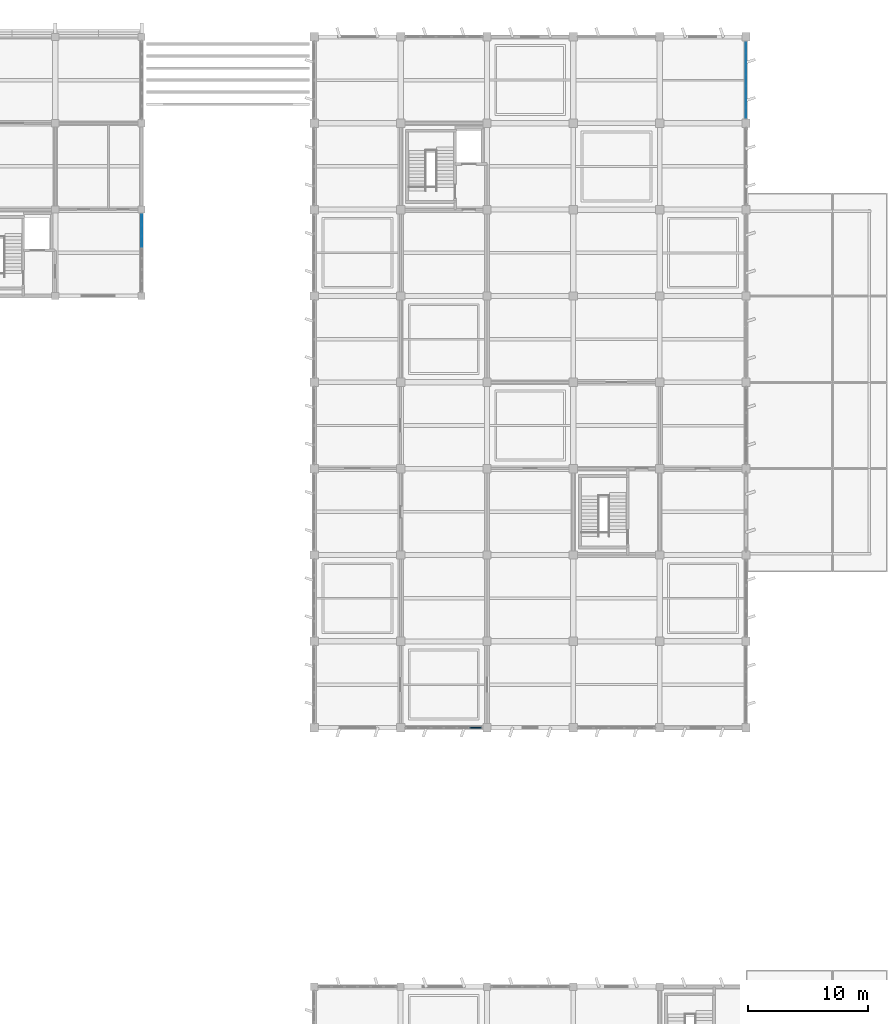
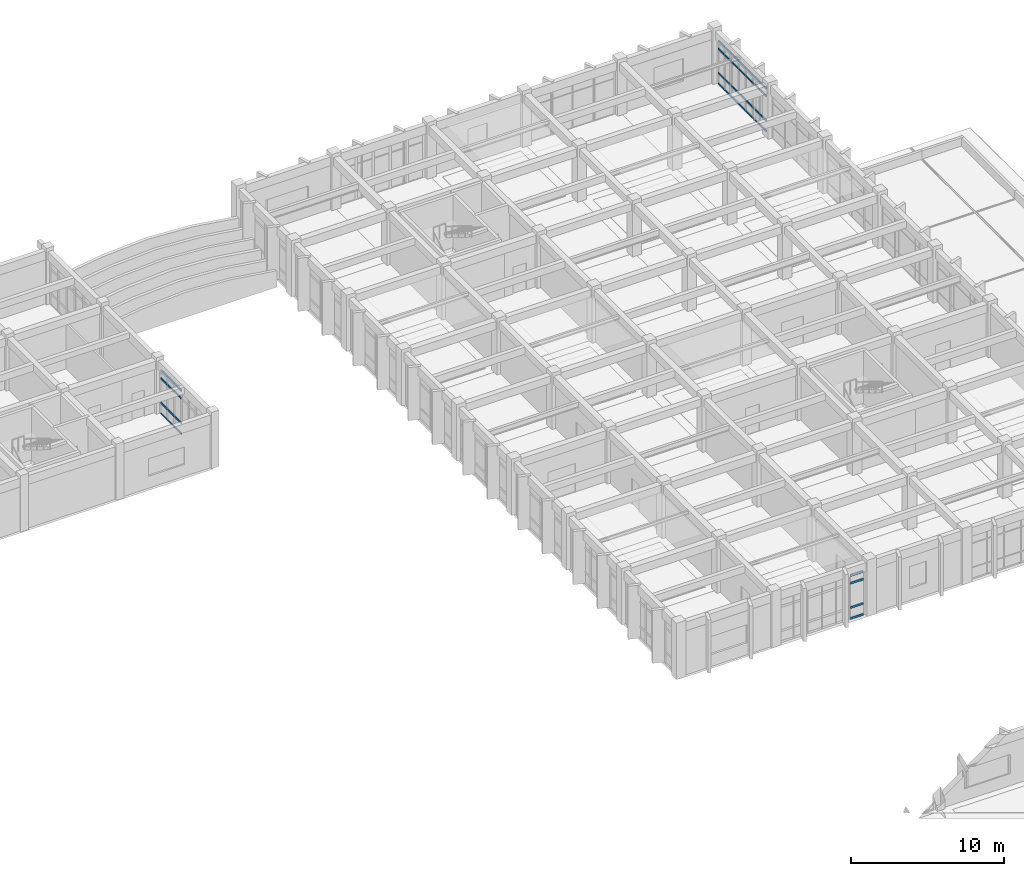
# One storey, part 37 of 81: 44 members, 3 elements without a shape of their own.
"""IFC4 building model written with IfcOpenShell, lengths in metres."""

from ifc_helpers import new_model, si_unit, direction, frame, origin, origin_2d, place, context, subcontext, project, spatial, rectangle, extrude, material, layer, layer_set, material_profile, profile_set, type_object, element, aggregate, save


model = new_model("IFC4")

# Units and contexts
model_context = context("Model", 3, precision=1e-05, world=origin(), true_north=direction((0.0, 1.0)))
body_context = subcontext(model_context, "Body", "Model", "MODEL_VIEW")
ifc_project = project(units=[si_unit("LENGTHUNIT", "METRE"), si_unit("AREAUNIT", "SQUARE_METRE"), si_unit("VOLUMEUNIT", "CUBIC_METRE"), si_unit("PLANEANGLEUNIT", "RADIAN"), si_unit("MASSUNIT", "GRAM", prefix="KILO")], contexts=[model_context])

# Site, building, storey
site_placement = place(None, origin())
site = spatial("IfcSite", under=ifc_project, at=site_placement, CompositionType="ELEMENT")
building_placement = place(site_placement, origin())
building = spatial("IfcBuilding", under=site, at=building_placement, Name="Kavelor Marine Aquarium", CompositionType="ELEMENT")
storey_placement = place(building_placement, frame((0.0, 0.0, 4.679931640625)))
storey = spatial("IfcBuildingStorey", under=building, at=storey_placement, Name="L01", CompositionType="ELEMENT", Elevation=4.679931640625)

# Curtain wall, members
ifc_material_1 = material(Name="Thermally Broken Aluminium and Low-E Glass", Category="aluminium")
ifc_layer_1 = layer(ifc_material_1, 0.14794921875)
ifc_layer_set_1 = layer_set([ifc_layer_1], Name="CW-SYS1")
curtain_wall_type_1 = type_object("IfcCurtainWallType", Name="CW-SYS1", PredefinedType="USERDEFINED", material=ifc_layer_set_1)
curtain_wall_1_placement = place(storey_placement, origin())
curtain_wall_1 = element("IfcCurtainWall", 1, at=curtain_wall_1_placement, inside=storey, type_object=curtain_wall_type_1, Name="cw:y:L01:21_14", ObjectType="Curtain Wall", PredefinedType="USERDEFINED")
ifc_material_2 = material(Name="Anodised Aluminium Alloy 6063-T6", Category="aluminium")
ifc_material_profile_1 = material_profile(ifc_material_2, rectangle(XDim=0.074951171875, YDim=0.14990234375, at=origin_2d()), Name="CW-TRN 75x150")
ifc_profile_set_1 = profile_set([ifc_material_profile_1], Name="Anodised Aluminium Alloy 6063-T6")
member_type_1 = type_object("IfcMemberType", Name="CWT-1", PredefinedType="USERDEFINED", material=ifc_profile_set_1)
member_1_placement = place(storey_placement, frame((154.39990234375, 104.070068359375, 0.03759765625), z_axis=(0.0, 1.0, 0.0), x_axis=(-1.0, 0.0, 0.0)))
member_1 = element("IfcMember", 2, at=member_1_placement, type_object=member_type_1, Name="CW01 transom 1.1", ObjectType="TRANSOM", PredefinedType="USERDEFINED", context=body_context, shape_type="SweptSolid", body=[
    extrude(rectangle(XDim=0.074951171875, YDim=0.14990234375, at=origin_2d()), origin(), (0.0, 0.0, 1.0), 0.80322265625),
])
member_2_placement = place(storey_placement, frame((154.39990234375, 104.070068359375, 0.900146484375), z_axis=(0.0, 1.0, 0.0), x_axis=(-1.0, 0.0, 0.0)))
member_2 = element("IfcMember", 3, at=member_2_placement, type_object=member_type_1, Name="CW01 transom 1.2", ObjectType="TRANSOM", PredefinedType="USERDEFINED", context=body_context, shape_type="SweptSolid", body=[
    extrude(rectangle(XDim=0.074951171875, YDim=0.14990234375, at=origin_2d()), origin(), (0.0, 0.0, 1.0), 0.80322265625),
])
member_3_placement = place(storey_placement, frame((154.39990234375, 104.070068359375, 2.840087890625), z_axis=(0.0, 1.0, 0.0), x_axis=(-1.0, 0.0, 0.0)))
member_3 = element("IfcMember", 4, at=member_3_placement, type_object=member_type_1, Name="CW01 transom 1.3", ObjectType="TRANSOM", PredefinedType="USERDEFINED", context=body_context, shape_type="SweptSolid", body=[
    extrude(rectangle(XDim=0.074951171875, YDim=0.14990234375, at=origin_2d()), origin(), (0.0, 0.0, 1.0), 0.80322265625),
])
member_4_placement = place(storey_placement, frame((154.39990234375, 104.070068359375, 3.45263671875), z_axis=(0.0, 1.0, 0.0), x_axis=(-1.0, 0.0, 0.0)))
member_4 = element("IfcMember", 5, at=member_4_placement, type_object=member_type_1, Name="CW01 transom 1.4", ObjectType="TRANSOM", PredefinedType="USERDEFINED", context=body_context, shape_type="SweptSolid", body=[
    extrude(rectangle(XDim=0.074951171875, YDim=0.14990234375, at=origin_2d()), origin(), (0.0, 0.0, 1.0), 0.80322265625),
])
member_5_placement = place(storey_placement, frame((154.39990234375, 104.9482421875, 0.03759765625), z_axis=(0.0, 1.0, 0.0), x_axis=(-1.0, 0.0, 0.0)))
member_5 = element("IfcMember", 6, at=member_5_placement, type_object=member_type_1, Name="CW01 transom 2.1", ObjectType="TRANSOM", PredefinedType="USERDEFINED", context=body_context, shape_type="SweptSolid", body=[
    extrude(rectangle(XDim=0.074951171875, YDim=0.14990234375, at=origin_2d()), origin(), (0.0, 0.0, 1.0), 0.840576171875),
])
member_6_placement = place(storey_placement, frame((154.39990234375, 104.9482421875, 0.900146484375), z_axis=(0.0, 1.0, 0.0), x_axis=(-1.0, 0.0, 0.0)))
member_6 = element("IfcMember", 7, at=member_6_placement, type_object=member_type_1, Name="CW01 transom 2.2", ObjectType="TRANSOM", PredefinedType="USERDEFINED", context=body_context, shape_type="SweptSolid", body=[
    extrude(rectangle(XDim=0.074951171875, YDim=0.14990234375, at=origin_2d()), origin(), (0.0, 0.0, 1.0), 0.840576171875),
])
member_7_placement = place(storey_placement, frame((154.39990234375, 104.9482421875, 2.840087890625), z_axis=(0.0, 1.0, 0.0), x_axis=(-1.0, 0.0, 0.0)))
member_7 = element("IfcMember", 8, at=member_7_placement, type_object=member_type_1, Name="CW01 transom 2.3", ObjectType="TRANSOM", PredefinedType="USERDEFINED", context=body_context, shape_type="SweptSolid", body=[
    extrude(rectangle(XDim=0.074951171875, YDim=0.14990234375, at=origin_2d()), origin(), (0.0, 0.0, 1.0), 0.840576171875),
])
member_8_placement = place(storey_placement, frame((154.39990234375, 104.9482421875, 3.45263671875), z_axis=(0.0, 1.0, 0.0), x_axis=(-1.0, 0.0, 0.0)))
member_8 = element("IfcMember", 9, at=member_8_placement, type_object=member_type_1, Name="CW01 transom 2.4", ObjectType="TRANSOM", PredefinedType="USERDEFINED", context=body_context, shape_type="SweptSolid", body=[
    extrude(rectangle(XDim=0.074951171875, YDim=0.14990234375, at=origin_2d()), origin(), (0.0, 0.0, 1.0), 0.840576171875),
])
member_9_placement = place(storey_placement, frame((154.39990234375, 105.864013671875, 0.03759765625), z_axis=(0.0, 1.0, 0.0), x_axis=(-1.0, 0.0, 0.0)))
member_9 = element("IfcMember", 10, at=member_9_placement, type_object=member_type_1, Name="CW01 transom 3.1", ObjectType="TRANSOM", PredefinedType="USERDEFINED", context=body_context, shape_type="SweptSolid", body=[
    extrude(rectangle(XDim=0.074951171875, YDim=0.14990234375, at=origin_2d()), origin(), (0.0, 0.0, 1.0), 0.840576171875),
])
member_10_placement = place(storey_placement, frame((154.39990234375, 105.864013671875, 0.900146484375), z_axis=(0.0, 1.0, 0.0), x_axis=(-1.0, 0.0, 0.0)))
member_10 = element("IfcMember", 11, at=member_10_placement, type_object=member_type_1, Name="CW01 transom 3.2", ObjectType="TRANSOM", PredefinedType="USERDEFINED", context=body_context, shape_type="SweptSolid", body=[
    extrude(rectangle(XDim=0.074951171875, YDim=0.14990234375, at=origin_2d()), origin(), (0.0, 0.0, 1.0), 0.840576171875),
])
member_11_placement = place(storey_placement, frame((154.39990234375, 105.864013671875, 2.840087890625), z_axis=(0.0, 1.0, 0.0), x_axis=(-1.0, 0.0, 0.0)))
member_11 = element("IfcMember", 12, at=member_11_placement, type_object=member_type_1, Name="CW01 transom 3.3", ObjectType="TRANSOM", PredefinedType="USERDEFINED", context=body_context, shape_type="SweptSolid", body=[
    extrude(rectangle(XDim=0.074951171875, YDim=0.14990234375, at=origin_2d()), origin(), (0.0, 0.0, 1.0), 0.840576171875),
])
member_12_placement = place(storey_placement, frame((154.39990234375, 105.864013671875, 3.45263671875), z_axis=(0.0, 1.0, 0.0), x_axis=(-1.0, 0.0, 0.0)))
member_12 = element("IfcMember", 13, at=member_12_placement, type_object=member_type_1, Name="CW01 transom 3.4", ObjectType="TRANSOM", PredefinedType="USERDEFINED", context=body_context, shape_type="SweptSolid", body=[
    extrude(rectangle(XDim=0.074951171875, YDim=0.14990234375, at=origin_2d()), origin(), (0.0, 0.0, 1.0), 0.840576171875),
])
member_13_placement = place(storey_placement, frame((154.39990234375, 106.779541015625, 0.03759765625), z_axis=(0.0, 1.0, 0.0), x_axis=(-1.0, 0.0, 0.0)))
member_13 = element("IfcMember", 14, at=member_13_placement, type_object=member_type_1, Name="CW01 transom 4.1", ObjectType="TRANSOM", PredefinedType="USERDEFINED", context=body_context, shape_type="SweptSolid", body=[
    extrude(rectangle(XDim=0.074951171875, YDim=0.14990234375, at=origin_2d()), origin(), (0.0, 0.0, 1.0), 0.8408203125),
])
member_14_placement = place(storey_placement, frame((154.39990234375, 106.779541015625, 0.900146484375), z_axis=(0.0, 1.0, 0.0), x_axis=(-1.0, 0.0, 0.0)))
member_14 = element("IfcMember", 15, at=member_14_placement, type_object=member_type_1, Name="CW01 transom 4.2", ObjectType="TRANSOM", PredefinedType="USERDEFINED", context=body_context, shape_type="SweptSolid", body=[
    extrude(rectangle(XDim=0.074951171875, YDim=0.14990234375, at=origin_2d()), origin(), (0.0, 0.0, 1.0), 0.8408203125),
])
member_15_placement = place(storey_placement, frame((154.39990234375, 106.779541015625, 2.840087890625), z_axis=(0.0, 1.0, 0.0), x_axis=(-1.0, 0.0, 0.0)))
member_15 = element("IfcMember", 16, at=member_15_placement, type_object=member_type_1, Name="CW01 transom 4.3", ObjectType="TRANSOM", PredefinedType="USERDEFINED", context=body_context, shape_type="SweptSolid", body=[
    extrude(rectangle(XDim=0.074951171875, YDim=0.14990234375, at=origin_2d()), origin(), (0.0, 0.0, 1.0), 0.8408203125),
])
member_16_placement = place(storey_placement, frame((154.39990234375, 106.779541015625, 3.45263671875), z_axis=(0.0, 1.0, 0.0), x_axis=(-1.0, 0.0, 0.0)))
member_16 = element("IfcMember", 17, at=member_16_placement, type_object=member_type_1, Name="CW01 transom 4.4", ObjectType="TRANSOM", PredefinedType="USERDEFINED", context=body_context, shape_type="SweptSolid", body=[
    extrude(rectangle(XDim=0.074951171875, YDim=0.14990234375, at=origin_2d()), origin(), (0.0, 0.0, 1.0), 0.8408203125),
])
member_17_placement = place(storey_placement, frame((154.39990234375, 107.6953125, 0.03759765625), z_axis=(0.0, 1.0, 0.0), x_axis=(-1.0, 0.0, 0.0)))
member_17 = element("IfcMember", 18, at=member_17_placement, type_object=member_type_1, Name="CW01 transom 5.1", ObjectType="TRANSOM", PredefinedType="USERDEFINED", context=body_context, shape_type="SweptSolid", body=[
    extrude(rectangle(XDim=0.074951171875, YDim=0.14990234375, at=origin_2d()), origin(), (0.0, 0.0, 1.0), 0.8408203125),
])
member_18_placement = place(storey_placement, frame((154.39990234375, 107.6953125, 0.900146484375), z_axis=(0.0, 1.0, 0.0), x_axis=(-1.0, 0.0, 0.0)))
member_18 = element("IfcMember", 19, at=member_18_placement, type_object=member_type_1, Name="CW01 transom 5.2", ObjectType="TRANSOM", PredefinedType="USERDEFINED", context=body_context, shape_type="SweptSolid", body=[
    extrude(rectangle(XDim=0.074951171875, YDim=0.14990234375, at=origin_2d()), origin(), (0.0, 0.0, 1.0), 0.8408203125),
])
member_19_placement = place(storey_placement, frame((154.39990234375, 107.6953125, 2.840087890625), z_axis=(0.0, 1.0, 0.0), x_axis=(-1.0, 0.0, 0.0)))
member_19 = element("IfcMember", 20, at=member_19_placement, type_object=member_type_1, Name="CW01 transom 5.3", ObjectType="TRANSOM", PredefinedType="USERDEFINED", context=body_context, shape_type="SweptSolid", body=[
    extrude(rectangle(XDim=0.074951171875, YDim=0.14990234375, at=origin_2d()), origin(), (0.0, 0.0, 1.0), 0.8408203125),
])
member_20_placement = place(storey_placement, frame((154.39990234375, 107.6953125, 3.45263671875), z_axis=(0.0, 1.0, 0.0), x_axis=(-1.0, 0.0, 0.0)))
member_20 = element("IfcMember", 21, at=member_20_placement, type_object=member_type_1, Name="CW01 transom 5.4", ObjectType="TRANSOM", PredefinedType="USERDEFINED", context=body_context, shape_type="SweptSolid", body=[
    extrude(rectangle(XDim=0.074951171875, YDim=0.14990234375, at=origin_2d()), origin(), (0.0, 0.0, 1.0), 0.8408203125),
])
member_21_placement = place(storey_placement, frame((154.39990234375, 108.611083984375, 0.03759765625), z_axis=(0.0, 1.0, 0.0), x_axis=(-1.0, 0.0, 0.0)))
member_21 = element("IfcMember", 22, at=member_21_placement, type_object=member_type_1, Name="CW01 transom 6.1", ObjectType="TRANSOM", PredefinedType="USERDEFINED", context=body_context, shape_type="SweptSolid", body=[
    extrude(rectangle(XDim=0.074951171875, YDim=0.14990234375, at=origin_2d()), origin(), (0.0, 0.0, 1.0), 0.8408203125),
])
member_22_placement = place(storey_placement, frame((154.39990234375, 108.611083984375, 0.900146484375), z_axis=(0.0, 1.0, 0.0), x_axis=(-1.0, 0.0, 0.0)))
member_22 = element("IfcMember", 23, at=member_22_placement, type_object=member_type_1, Name="CW01 transom 6.2", ObjectType="TRANSOM", PredefinedType="USERDEFINED", context=body_context, shape_type="SweptSolid", body=[
    extrude(rectangle(XDim=0.074951171875, YDim=0.14990234375, at=origin_2d()), origin(), (0.0, 0.0, 1.0), 0.8408203125),
])
member_23_placement = place(storey_placement, frame((154.39990234375, 108.611083984375, 2.840087890625), z_axis=(0.0, 1.0, 0.0), x_axis=(-1.0, 0.0, 0.0)))
member_23 = element("IfcMember", 24, at=member_23_placement, type_object=member_type_1, Name="CW01 transom 6.3", ObjectType="TRANSOM", PredefinedType="USERDEFINED", context=body_context, shape_type="SweptSolid", body=[
    extrude(rectangle(XDim=0.074951171875, YDim=0.14990234375, at=origin_2d()), origin(), (0.0, 0.0, 1.0), 0.8408203125),
])
member_24_placement = place(storey_placement, frame((154.39990234375, 108.611083984375, 3.45263671875), z_axis=(0.0, 1.0, 0.0), x_axis=(-1.0, 0.0, 0.0)))
member_24 = element("IfcMember", 25, at=member_24_placement, type_object=member_type_1, Name="CW01 transom 6.4", ObjectType="TRANSOM", PredefinedType="USERDEFINED", context=body_context, shape_type="SweptSolid", body=[
    extrude(rectangle(XDim=0.074951171875, YDim=0.14990234375, at=origin_2d()), origin(), (0.0, 0.0, 1.0), 0.8408203125),
])
member_25_placement = place(storey_placement, frame((154.39990234375, 109.52685546875, 0.03759765625), z_axis=(0.0, 1.0, 0.0), x_axis=(-1.0, 0.0, 0.0)))
member_25 = element("IfcMember", 26, at=member_25_placement, type_object=member_type_1, Name="CW01 transom 7.1", ObjectType="TRANSOM", PredefinedType="USERDEFINED", context=body_context, shape_type="SweptSolid", body=[
    extrude(rectangle(XDim=0.074951171875, YDim=0.14990234375, at=origin_2d()), origin(), (0.0, 0.0, 1.0), 0.80322265625),
])
member_26_placement = place(storey_placement, frame((154.39990234375, 109.52685546875, 0.900146484375), z_axis=(0.0, 1.0, 0.0), x_axis=(-1.0, 0.0, 0.0)))
member_26 = element("IfcMember", 27, at=member_26_placement, type_object=member_type_1, Name="CW01 transom 7.2", ObjectType="TRANSOM", PredefinedType="USERDEFINED", context=body_context, shape_type="SweptSolid", body=[
    extrude(rectangle(XDim=0.074951171875, YDim=0.14990234375, at=origin_2d()), origin(), (0.0, 0.0, 1.0), 0.80322265625),
])
member_27_placement = place(storey_placement, frame((154.39990234375, 109.52685546875, 2.840087890625), z_axis=(0.0, 1.0, 0.0), x_axis=(-1.0, 0.0, 0.0)))
member_27 = element("IfcMember", 28, at=member_27_placement, type_object=member_type_1, Name="CW01 transom 7.3", ObjectType="TRANSOM", PredefinedType="USERDEFINED", context=body_context, shape_type="SweptSolid", body=[
    extrude(rectangle(XDim=0.074951171875, YDim=0.14990234375, at=origin_2d()), origin(), (0.0, 0.0, 1.0), 0.80322265625),
])
member_28_placement = place(storey_placement, frame((154.39990234375, 109.52685546875, 3.45263671875), z_axis=(0.0, 1.0, 0.0), x_axis=(-1.0, 0.0, 0.0)))
member_28 = element("IfcMember", 29, at=member_28_placement, type_object=member_type_1, Name="CW01 transom 7.4", ObjectType="TRANSOM", PredefinedType="USERDEFINED", context=body_context, shape_type="SweptSolid", body=[
    extrude(rectangle(XDim=0.074951171875, YDim=0.14990234375, at=origin_2d()), origin(), (0.0, 0.0, 1.0), 0.80322265625),
])
aggregate(curtain_wall_1, [member_1, member_2, member_3, member_4, member_5, member_6, member_7, member_8, member_9, member_10, member_11, member_12, member_13, member_14, member_15, member_16, member_17, member_18, member_19, member_20, member_21, member_22, member_23, member_24, member_25, member_26, member_27, member_28])

ifc_material_3 = material(Name="Thermally Broken Aluminium and Low-E Glass", Category="aluminium")
ifc_layer_2 = layer(ifc_material_3, 0.156005859375)
ifc_layer_set_2 = layer_set([ifc_layer_2], Name="CW-SYS2")
curtain_wall_type_2 = type_object("IfcCurtainWallType", Name="CW-SYS2", PredefinedType="USERDEFINED", material=ifc_layer_set_2)
curtain_wall_2_placement = place(storey_placement, origin())
curtain_wall_2 = element("IfcCurtainWall", 30, at=curtain_wall_2_placement, inside=storey, type_object=curtain_wall_type_2, Name="cw:y:L01:14_12", ObjectType="Curtain Wall", PredefinedType="USERDEFINED")
ifc_material_4 = material(Name="Anodised Aluminium Alloy 6063-T6", Category="aluminium")
ifc_material_profile_2 = material_profile(ifc_material_4, rectangle(XDim=0.080078125, YDim=0.155029296875, at=origin_2d()), Name="CW-TRN 80x155")
ifc_profile_set_2 = profile_set([ifc_material_profile_2], Name="Anodised Aluminium Alloy 6063-T6")
member_type_2 = type_object("IfcMemberType", Name="CWT-2", PredefinedType="USERDEFINED", material=ifc_profile_set_2)
member_29_placement = place(storey_placement, frame((104.0, 93.297607421875, 0.032470703125), z_axis=(0.0, 1.0, 0.0), x_axis=(-1.0, 0.0, 0.0)))
member_29 = element("IfcMember", 31, at=member_29_placement, type_object=member_type_2, Name="CW02 transom 5.1", ObjectType="TRANSOM", PredefinedType="USERDEFINED", context=body_context, shape_type="SweptSolid", body=[
    extrude(rectangle(XDim=0.080078125, YDim=0.155029296875, at=origin_2d()), origin(), (0.0, 0.0, 1.0), 0.864990234375),
])
member_30_placement = place(storey_placement, frame((104.0, 93.297607421875, 0.900146484375), z_axis=(0.0, 1.0, 0.0), x_axis=(-1.0, 0.0, 0.0)))
member_30 = element("IfcMember", 32, at=member_30_placement, type_object=member_type_2, Name="CW02 transom 5.2", ObjectType="TRANSOM", PredefinedType="USERDEFINED", context=body_context, shape_type="SweptSolid", body=[
    extrude(rectangle(XDim=0.080078125, YDim=0.155029296875, at=origin_2d()), origin(), (0.0, 0.0, 1.0), 0.864990234375),
])
member_31_placement = place(storey_placement, frame((104.0, 93.297607421875, 2.860107421875), z_axis=(0.0, 1.0, 0.0), x_axis=(-1.0, 0.0, 0.0)))
member_31 = element("IfcMember", 33, at=member_31_placement, type_object=member_type_2, Name="CW02 transom 5.3", ObjectType="TRANSOM", PredefinedType="USERDEFINED", context=body_context, shape_type="SweptSolid", body=[
    extrude(rectangle(XDim=0.080078125, YDim=0.155029296875, at=origin_2d()), origin(), (0.0, 0.0, 1.0), 0.864990234375),
])
member_32_placement = place(storey_placement, frame((104.0, 93.297607421875, 3.4775390625), z_axis=(0.0, 1.0, 0.0), x_axis=(-1.0, 0.0, 0.0)))
member_32 = element("IfcMember", 34, at=member_32_placement, type_object=member_type_2, Name="CW02 transom 5.4", ObjectType="TRANSOM", PredefinedType="USERDEFINED", context=body_context, shape_type="SweptSolid", body=[
    extrude(rectangle(XDim=0.080078125, YDim=0.155029296875, at=origin_2d()), origin(), (0.0, 0.0, 1.0), 0.864990234375),
])
member_33_placement = place(storey_placement, frame((104.0, 94.2275390625, 0.032470703125), z_axis=(0.0, 1.0, 0.0), x_axis=(-1.0, 0.0, 0.0)))
member_33 = element("IfcMember", 35, at=member_33_placement, type_object=member_type_2, Name="CW02 transom 6.1", ObjectType="TRANSOM", PredefinedType="USERDEFINED", context=body_context, shape_type="SweptSolid", body=[
    extrude(rectangle(XDim=0.080078125, YDim=0.155029296875, at=origin_2d()), origin(), (0.0, 0.0, 1.0), 0.864990234375),
])
member_34_placement = place(storey_placement, frame((104.0, 94.2275390625, 0.900146484375), z_axis=(0.0, 1.0, 0.0), x_axis=(-1.0, 0.0, 0.0)))
member_34 = element("IfcMember", 36, at=member_34_placement, type_object=member_type_2, Name="CW02 transom 6.2", ObjectType="TRANSOM", PredefinedType="USERDEFINED", context=body_context, shape_type="SweptSolid", body=[
    extrude(rectangle(XDim=0.080078125, YDim=0.155029296875, at=origin_2d()), origin(), (0.0, 0.0, 1.0), 0.864990234375),
])
member_35_placement = place(storey_placement, frame((104.0, 94.2275390625, 2.860107421875), z_axis=(0.0, 1.0, 0.0), x_axis=(-1.0, 0.0, 0.0)))
member_35 = element("IfcMember", 37, at=member_35_placement, type_object=member_type_2, Name="CW02 transom 6.3", ObjectType="TRANSOM", PredefinedType="USERDEFINED", context=body_context, shape_type="SweptSolid", body=[
    extrude(rectangle(XDim=0.080078125, YDim=0.155029296875, at=origin_2d()), origin(), (0.0, 0.0, 1.0), 0.864990234375),
])
member_36_placement = place(storey_placement, frame((104.0, 94.2275390625, 3.4775390625), z_axis=(0.0, 1.0, 0.0), x_axis=(-1.0, 0.0, 0.0)))
member_36 = element("IfcMember", 38, at=member_36_placement, type_object=member_type_2, Name="CW02 transom 6.4", ObjectType="TRANSOM", PredefinedType="USERDEFINED", context=body_context, shape_type="SweptSolid", body=[
    extrude(rectangle(XDim=0.080078125, YDim=0.155029296875, at=origin_2d()), origin(), (0.0, 0.0, 1.0), 0.864990234375),
])
member_37_placement = place(storey_placement, frame((104.0, 95.157470703125, 0.032470703125), z_axis=(0.0, 1.0, 0.0), x_axis=(-1.0, 0.0, 0.0)))
member_37 = element("IfcMember", 39, at=member_37_placement, type_object=member_type_2, Name="CW02 transom 7.1", ObjectType="TRANSOM", PredefinedType="USERDEFINED", context=body_context, shape_type="SweptSolid", body=[
    extrude(rectangle(XDim=0.080078125, YDim=0.155029296875, at=origin_2d()), origin(), (0.0, 0.0, 1.0), 0.83251953125),
])
member_38_placement = place(storey_placement, frame((104.0, 95.157470703125, 0.900146484375), z_axis=(0.0, 1.0, 0.0), x_axis=(-1.0, 0.0, 0.0)))
member_38 = element("IfcMember", 40, at=member_38_placement, type_object=member_type_2, Name="CW02 transom 7.2", ObjectType="TRANSOM", PredefinedType="USERDEFINED", context=body_context, shape_type="SweptSolid", body=[
    extrude(rectangle(XDim=0.080078125, YDim=0.155029296875, at=origin_2d()), origin(), (0.0, 0.0, 1.0), 0.83251953125),
])
member_39_placement = place(storey_placement, frame((104.0, 95.157470703125, 2.860107421875), z_axis=(0.0, 1.0, 0.0), x_axis=(-1.0, 0.0, 0.0)))
member_39 = element("IfcMember", 41, at=member_39_placement, type_object=member_type_2, Name="CW02 transom 7.3", ObjectType="TRANSOM", PredefinedType="USERDEFINED", context=body_context, shape_type="SweptSolid", body=[
    extrude(rectangle(XDim=0.080078125, YDim=0.155029296875, at=origin_2d()), origin(), (0.0, 0.0, 1.0), 0.83251953125),
])
member_40_placement = place(storey_placement, frame((104.0, 95.157470703125, 3.4775390625), z_axis=(0.0, 1.0, 0.0), x_axis=(-1.0, 0.0, 0.0)))
member_40 = element("IfcMember", 42, at=member_40_placement, type_object=member_type_2, Name="CW02 transom 7.4", ObjectType="TRANSOM", PredefinedType="USERDEFINED", context=body_context, shape_type="SweptSolid", body=[
    extrude(rectangle(XDim=0.080078125, YDim=0.155029296875, at=origin_2d()), origin(), (0.0, 0.0, 1.0), 0.83251953125),
])
aggregate(curtain_wall_2, [member_29, member_30, member_31, member_32, member_33, member_34, member_35, member_36, member_37, member_38, member_39, member_40])

ifc_material_5 = material(Name="Thermally Broken Aluminium and Low-E Glass", Category="aluminium")
ifc_layer_3 = layer(ifc_material_5, 0.179931640625)
ifc_layer_set_3 = layer_set([ifc_layer_3], Name="CW-SYS5")
curtain_wall_type_3 = type_object("IfcCurtainWallType", Name="CW-SYS5", PredefinedType="USERDEFINED", material=ifc_layer_set_3)
curtain_wall_3_placement = place(storey_placement, origin())
curtain_wall_3 = element("IfcCurtainWall", 43, at=curtain_wall_3_placement, inside=storey, type_object=curtain_wall_type_3, Name="cw:x:L01:17_07", ObjectType="Curtain Wall", PredefinedType="USERDEFINED")
ifc_material_6 = material(Name="Anodised Aluminium Alloy 6063-T6", Category="aluminium")
ifc_material_profile_3 = material_profile(ifc_material_6, rectangle(XDim=0.0849609375, YDim=0.159912109375, at=origin_2d()), Name="CW-TRN 85x160")
ifc_profile_set_3 = profile_set([ifc_material_profile_3], Name="Anodised Aluminium Alloy 6063-T6")
member_type_3 = type_object("IfcMemberType", Name="CWT-3", PredefinedType="USERDEFINED", material=ifc_profile_set_3)
member_41_placement = place(storey_placement, frame((132.340087890625, 53.199951171875, 0.030029296875), z_axis=(-1.0, 0.0, 0.0), x_axis=(0.0, -1.0, 0.0)))
member_41 = element("IfcMember", 44, at=member_41_placement, type_object=member_type_3, Name="CW05 transom 1.1", ObjectType="TRANSOM", PredefinedType="USERDEFINED", context=body_context, shape_type="SweptSolid", body=[
    extrude(rectangle(XDim=0.0849609375, YDim=0.159912109375, at=origin_2d()), origin(), (0.0, 0.0, 1.0), 0.970947265625),
])
member_42_placement = place(storey_placement, frame((132.340087890625, 53.199951171875, 0.900146484375), z_axis=(-1.0, 0.0, 0.0), x_axis=(0.0, -1.0, 0.0)))
member_42 = element("IfcMember", 45, at=member_42_placement, type_object=member_type_3, Name="CW05 transom 1.2", ObjectType="TRANSOM", PredefinedType="USERDEFINED", context=body_context, shape_type="SweptSolid", body=[
    extrude(rectangle(XDim=0.0849609375, YDim=0.159912109375, at=origin_2d()), origin(), (0.0, 0.0, 1.0), 0.970947265625),
])
member_43_placement = place(storey_placement, frame((132.340087890625, 53.199951171875, 2.840087890625), z_axis=(-1.0, 0.0, 0.0), x_axis=(0.0, -1.0, 0.0)))
member_43 = element("IfcMember", 46, at=member_43_placement, type_object=member_type_3, Name="CW05 transom 1.3", ObjectType="TRANSOM", PredefinedType="USERDEFINED", context=body_context, shape_type="SweptSolid", body=[
    extrude(rectangle(XDim=0.0849609375, YDim=0.159912109375, at=origin_2d()), origin(), (0.0, 0.0, 1.0), 0.970947265625),
])
member_44_placement = place(storey_placement, frame((132.340087890625, 53.199951171875, 3.4599609375), z_axis=(-1.0, 0.0, 0.0), x_axis=(0.0, -1.0, 0.0)))
member_44 = element("IfcMember", 47, at=member_44_placement, type_object=member_type_3, Name="CW05 transom 1.4", ObjectType="TRANSOM", PredefinedType="USERDEFINED", context=body_context, shape_type="SweptSolid", body=[
    extrude(rectangle(XDim=0.0849609375, YDim=0.159912109375, at=origin_2d()), origin(), (0.0, 0.0, 1.0), 0.970947265625),
])
aggregate(curtain_wall_3, [member_41, member_42, member_43, member_44])

save(model, "model.ifc")
